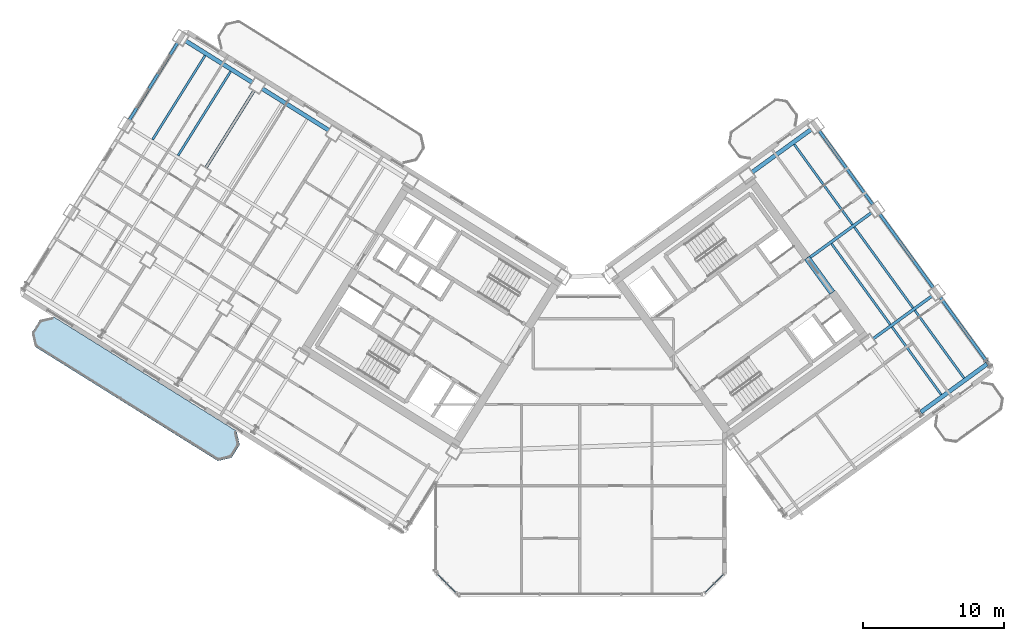
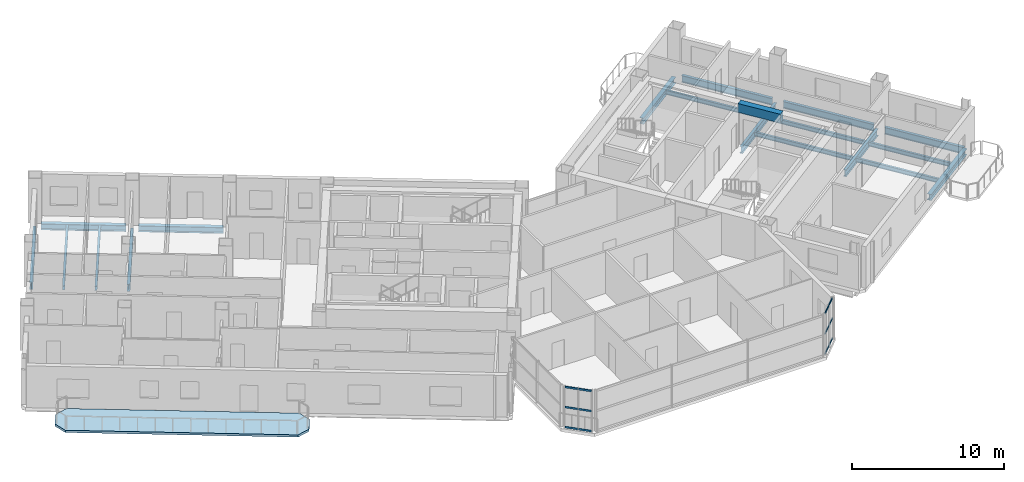
# One storey, part 13 of 25: 19 beams, 12 members, 1 slab, 2 elements without a shape of their own.
"""IFC4 building model written with IfcOpenShell, lengths in metres."""

from ifc_helpers import new_model, si_unit, direction, frame, origin, origin_2d, place, context, subcontext, project, spatial, polyline, rectangle, hollow_rectangle, i_section, outline, extrude, source, transform, mapped, material, layer, layer_set, material_profile, profile_set, type_object, element, aggregate, save


model = new_model("IFC4")

# Units and contexts
model_context = context("Model", 3, precision=1e-05, world=origin(), true_north=direction((0.0, 1.0)))
body_context = subcontext(model_context, "Body", "Model", "MODEL_VIEW")
ifc_project = project(units=[si_unit("LENGTHUNIT", "METRE"), si_unit("AREAUNIT", "SQUARE_METRE"), si_unit("VOLUMEUNIT", "CUBIC_METRE"), si_unit("PLANEANGLEUNIT", "RADIAN"), si_unit("MASSUNIT", "GRAM", prefix="KILO")], contexts=[model_context])

# Site, building, storey
site_placement = place(None, origin())
site = spatial("IfcSite", under=ifc_project, at=site_placement, CompositionType="ELEMENT")
building_placement = place(site_placement, origin())
building = spatial("IfcBuilding", under=site, at=building_placement, Name="Tlacorven Tower", CompositionType="ELEMENT")
storey_placement = place(building_placement, frame((0.0, 0.0, 155.10009765625)))
storey = spatial("IfcBuildingStorey", under=building, at=storey_placement, Name="L39", CompositionType="ELEMENT", Elevation=155.10009765625)

# Beams
ifc_material_1 = material(Name="Concrete C60/75", Category="concrete")
ifc_material_profile_1 = material_profile(ifc_material_1, rectangle(XDim=0.449951171875, YDim=0.699951171875, at=origin_2d()), Name="RC 450X700")
ifc_profile_set_1 = profile_set([ifc_material_profile_1], Name="Concrete C60/75")
beam_type_1 = type_object("IfcBeamType", Name="BM-LNT-700", PredefinedType="LINTEL", material=ifc_profile_set_1)
shared_shape_1 = source(origin(), body_context, "Body", "SweptSolid", [
    extrude(rectangle(XDim=0.449951171875, YDim=0.699951171875, at=origin_2d()), origin(), (0.0, 0.0, 1.0), 3.050048828125),
])
beam_1_placement = place(storey_placement, frame((59.856689453125, 23.345947265625, 3.0), z_axis=(-0.587776590479, 0.80902328748, 0.0), x_axis=(-0.80902328748, -0.587776590479, 0.0)))
element("IfcBeam", 1, at=beam_1_placement, inside=storey, type_object=beam_type_1, Name="L39 E core coupling lintel beam E2", PredefinedType="LINTEL", context=body_context, shape_type="MappedRepresentation", body=[
    mapped(shared_shape_1, transform((0.0, 0.0, 0.0), scale=1.0)),
])
ifc_material_2 = material(Name="Steel S355J2", Category="steel")
ifc_material_profile_2 = material_profile(ifc_material_2, i_section(OverallWidth=0.300048828125, OverallDepth=0.489990234375, WebThickness=0.011962890625, FlangeThickness=0.02294921875, at=origin_2d()), Name="HEA 500")
ifc_profile_set_2 = profile_set([ifc_material_profile_2], Name="Steel S355J2")
beam_type_2 = type_object("IfcBeamType", Name="BM-SPN-500", PredefinedType="SPANDREL", material=ifc_profile_set_2)
shared_shape_2 = source(origin(), body_context, "Body", "SweptSolid", [
    extrude(i_section(OverallWidth=0.300048828125, OverallDepth=0.489990234375, WebThickness=0.011962890625, FlangeThickness=0.02294921875, at=origin_2d()), origin(), (0.0, 0.0, 1.0), 5.800048828125),
])
beam_2_placement = place(storey_placement, frame((66.138671875, 14.86962890625, -0.4951171875), z_axis=(0.809019944521, 0.587781191743, 0.0), x_axis=(-0.587781191743, 0.809019944521, 0.0)))
element("IfcBeam", 2, at=beam_2_placement, inside=storey, type_object=beam_type_2, Name="L39 beam BM-L39-EL1-3", PredefinedType="SPANDREL", context=body_context, shape_type="MappedRepresentation", body=[
    mapped(shared_shape_2, transform((0.0, 0.0, 0.0), scale=1.0)),
])
shared_shape_3 = source(origin(), body_context, "Body", "SweptSolid", [
    extrude(i_section(OverallWidth=0.300048828125, OverallDepth=0.489990234375, WebThickness=0.011962890625, FlangeThickness=0.02294921875, at=origin_2d()), origin(), (0.0, 0.0, 1.0), 5.599853515625),
])
for number, where, z_axis, x_axis, name in (
    (3, (24.1611328125, 34.854736328125, -0.4951171875), (-0.848047285686, 0.529920561254, 0.0), (-0.529920561254, -0.848047285686, 0.0), "L39 beam BM-L39-WL1-4"),
    (4, (18.733642578125, 38.246337890625, -0.4951171875), (-0.848047285686, 0.529920561254, 0.0), (-0.529920561254, -0.848047285686, 0.0), "L39 beam BM-L39-WL1-5"),
):
    element("IfcBeam", number, at=place(storey_placement, frame(where, z_axis=z_axis, x_axis=x_axis)), inside=storey, type_object=beam_type_2, Name=name, PredefinedType="SPANDREL", context=body_context, shape_type="MappedRepresentation", body=[
        mapped(shared_shape_3, transform((0.0, 0.0, 0.0), scale=1.0)),
    ])
ifc_material_profile_3 = material_profile(ifc_material_2, i_section(OverallWidth=0.2099609375, OverallDepth=0.550048828125, WebThickness=0.010986328125, FlangeThickness=0.01708984375, at=origin_2d()), Name="IPE 550")
ifc_profile_set_3 = profile_set([ifc_material_profile_3], Name="Steel S355J2")
beam_type_3 = type_object("IfcBeamType", Name="BM-TWR-550", PredefinedType="BEAM", material=ifc_profile_set_3)
shared_shape_4 = source(origin(), body_context, "Body", "SweptSolid", [
    extrude(i_section(OverallWidth=0.2099609375, OverallDepth=0.550048828125, WebThickness=0.010986328125, FlangeThickness=0.01708984375, at=origin_2d()), origin(), (0.0, 0.0, 1.0), 5.7001953125),
])
beam_3_placement = place(storey_placement, frame((70.853271484375, 18.41845703125, -0.525146484375), z_axis=(-0.587766699507, 0.809030473438, 0.0), x_axis=(-0.809030473438, -0.587766699507, 0.0)))
element("IfcBeam", 5, at=beam_3_placement, inside=storey, type_object=beam_type_3, Name="L39 beam BM-L39-ET4-1", PredefinedType="BEAM", context=body_context, shape_type="MappedRepresentation", body=[
    mapped(shared_shape_4, transform((0.0, 0.0, 0.0), scale=1.0)),
])
shared_shape_5 = source(origin(), body_context, "Body", "SweptSolid", [
    extrude(i_section(OverallWidth=0.2099609375, OverallDepth=0.550048828125, WebThickness=0.010986328125, FlangeThickness=0.01708984375, at=origin_2d()), origin(), (0.0, 0.0, 1.0), 6.5),
])
for number, where, z_axis, x_axis, name in (
    (6, (13.433349609375, 41.086669921875, -0.525146484375), (-0.529894274829, -0.848063710757, 0.0), (0.848063710757, -0.529894274829, 0.0), "L39 beam BM-L39-WT6-1"),
    (7, (67.03271484375, 23.67724609375, -0.525146484375), (-0.587809847215, 0.808999124547, 0.0), (-0.808999124547, -0.587809847215, 0.0), "L39 beam BM-L39-ET4-2"),
    (8, (62.74169921875, 29.5830078125, -0.525146484375), (-0.587785264321, 0.809016985636, 0.0), (-0.809016985636, -0.587785264321, 0.0), "L39 beam BM-L39-ET4-3"),
):
    element("IfcBeam", number, at=place(storey_placement, frame(where, z_axis=z_axis, x_axis=x_axis)), inside=storey, type_object=beam_type_3, Name=name, PredefinedType="BEAM", context=body_context, shape_type="MappedRepresentation", body=[
        mapped(shared_shape_5, transform((0.0, 0.0, 0.0), scale=1.0)),
    ])
shared_shape_6 = source(origin(), body_context, "Body", "SweptSolid", [
    extrude(i_section(OverallWidth=0.2099609375, OverallDepth=0.550048828125, WebThickness=0.010986328125, FlangeThickness=0.01708984375, at=origin_2d()), origin(), (0.0, 0.0, 1.0), 6.499755859375),
])
beam_4_placement = place(storey_placement, frame((18.86083984375, 37.695068359375, -0.525146484375), z_axis=(-0.529911154058, -0.848053163902, 0.0), x_axis=(0.848053163902, -0.529911154058, 0.0)))
element("IfcBeam", 9, at=beam_4_placement, inside=storey, type_object=beam_type_3, Name="L39 beam BM-L39-WT5-1", PredefinedType="BEAM", context=body_context, shape_type="MappedRepresentation", body=[
    mapped(shared_shape_6, transform((0.0, 0.0, 0.0), scale=1.0)),
])
shared_shape_7 = source(origin(), body_context, "Body", "SweptSolid", [
    extrude(i_section(OverallWidth=0.2099609375, OverallDepth=0.550048828125, WebThickness=0.010986328125, FlangeThickness=0.01708984375, at=origin_2d()), origin(), (0.0, 0.0, 1.0), 5.56005859375),
])
beam_5_placement = place(storey_placement, frame((58.155029296875, 25.756103515625, -0.525146484375), z_axis=(0.809028396397, 0.587769558435, 0.0), x_axis=(-0.587769558435, 0.809028396397, 0.0)))
element("IfcBeam", 10, at=beam_5_placement, inside=storey, type_object=beam_type_3, Name="L39 beam BM-L39-EL3-3", PredefinedType="BEAM", context=body_context, shape_type="MappedRepresentation", body=[
    mapped(shared_shape_7, transform((0.0, 0.0, 0.0), scale=1.0)),
])
ifc_material_profile_4 = material_profile(ifc_material_2, i_section(OverallWidth=0.159912109375, OverallDepth=0.330078125, WebThickness=0.007568359375, FlangeThickness=0.011474609375, at=origin_2d()), Name="IPE 330")
ifc_profile_set_4 = profile_set([ifc_material_profile_4], Name="Steel S355J2")
beam_type_4 = type_object("IfcBeamType", Name="BM-JST-330", PredefinedType="JOIST", material=ifc_profile_set_4)
shared_shape_8 = source(origin(), body_context, "Body", "SweptSolid", [
    extrude(i_section(OverallWidth=0.159912109375, OverallDepth=0.330078125, WebThickness=0.007568359375, FlangeThickness=0.011474609375, at=origin_2d()), origin(), (0.0, 0.0, 1.0), 5.93505859375),
])
for number, where, z_axis, x_axis, name in (
    (11, (67.584716796875, 16.11181640625, -0.4150390625), (-0.58778762431, 0.809015270998, 0.0), (-0.809015270998, -0.58778762431, 0.0), "L39 beam BM-L39-EJ3-1-1"),
    (12, (69.202880859375, 17.287353515625, -0.4150390625), (-0.58778762431, 0.809015270998, 0.0), (-0.809015270998, -0.58778762431, 0.0), "L39 beam BM-L39-EJ3-1-2"),
):
    element("IfcBeam", number, at=place(storey_placement, frame(where, z_axis=z_axis, x_axis=x_axis)), inside=storey, type_object=beam_type_4, Name=name, PredefinedType="JOIST", context=body_context, shape_type="MappedRepresentation", body=[
        mapped(shared_shape_8, transform((0.0, 0.0, 0.0), scale=1.0)),
    ])
shared_shape_9 = source(origin(), body_context, "Body", "SweptSolid", [
    extrude(i_section(OverallWidth=0.159912109375, OverallDepth=0.330078125, WebThickness=0.007568359375, FlangeThickness=0.011474609375, at=origin_2d()), origin(), (0.0, 0.0, 1.0), 7.080078125),
])
beam_6_placement = place(storey_placement, frame((65.5849609375, 22.266845703125, -0.4150390625), z_axis=(-0.587759505125, 0.809035700161, 0.0), x_axis=(-0.809035700161, -0.587759505125, 0.0)))
element("IfcBeam", 13, at=beam_6_placement, inside=storey, type_object=beam_type_4, Name="L39 beam BM-L39-EJ3-2-2", PredefinedType="JOIST", context=body_context, shape_type="MappedRepresentation", body=[
    mapped(shared_shape_9, transform((0.0, 0.0, 0.0), scale=1.0)),
])
shared_shape_10 = source(origin(), body_context, "Body", "SweptSolid", [
    extrude(i_section(OverallWidth=0.159912109375, OverallDepth=0.330078125, WebThickness=0.007568359375, FlangeThickness=0.011474609375, at=origin_2d()), origin(), (0.0, 0.0, 1.0), 7.03515625),
])
beam_7_placement = place(storey_placement, frame((17.181640625, 39.033447265625, -0.4150390625), z_axis=(-0.529920952588, -0.848047041153, 0.0), x_axis=(0.848047041153, -0.529920952588, 0.0)))
element("IfcBeam", 14, at=beam_7_placement, inside=storey, type_object=beam_type_4, Name="L39 beam BM-L39-WJ5-1-1", PredefinedType="JOIST", context=body_context, shape_type="MappedRepresentation", body=[
    mapped(shared_shape_10, transform((0.0, 0.0, 0.0), scale=1.0)),
])
shared_shape_11 = source(origin(), body_context, "Body", "SweptSolid", [
    extrude(i_section(OverallWidth=0.159912109375, OverallDepth=0.330078125, WebThickness=0.007568359375, FlangeThickness=0.011474609375, at=origin_2d()), origin(), (0.0, 0.0, 1.0), 7.034912109375),
])
for number, where, z_axis, x_axis, name in (
    (15, (15.372314453125, 40.163818359375, -0.4150390625), (-0.529895993776, -0.848062636708, 0.0), (0.848062636708, -0.529895993776, 0.0), "L39 beam BM-L39-WJ5-1-2"),
    (16, (61.294189453125, 28.1728515625, -0.4150390625), (-0.587781631373, 0.809019625115, 0.0), (-0.809019625115, -0.587781631373, 0.0), "L39 beam BM-L39-EJ3-3-2"),
):
    element("IfcBeam", number, at=place(storey_placement, frame(where, z_axis=z_axis, x_axis=x_axis)), inside=storey, type_object=beam_type_4, Name=name, PredefinedType="JOIST", context=body_context, shape_type="MappedRepresentation", body=[
        mapped(shared_shape_11, transform((0.0, 0.0, 0.0), scale=1.0)),
    ])
shared_shape_12 = source(origin(), body_context, "Body", "SweptSolid", [
    extrude(i_section(OverallWidth=0.159912109375, OverallDepth=0.330078125, WebThickness=0.007568359375, FlangeThickness=0.011474609375, at=origin_2d()), origin(), (0.0, 0.0, 1.0), 7.080322265625),
])
beam_8_placement = place(storey_placement, frame((63.967041015625, 21.09130859375, -0.4150390625), z_axis=(-0.587782074775, 0.809019302967, 0.0), x_axis=(-0.809019302967, -0.587782074775, 0.0)))
element("IfcBeam", 17, at=beam_8_placement, inside=storey, type_object=beam_type_4, Name="L39 beam BM-L39-EJ3-2-1", PredefinedType="JOIST", context=body_context, shape_type="MappedRepresentation", body=[
    mapped(shared_shape_12, transform((0.0, 0.0, 0.0), scale=1.0)),
])
shared_shape_13 = source(origin(), body_context, "Body", "SweptSolid", [
    extrude(i_section(OverallWidth=0.2099609375, OverallDepth=0.550048828125, WebThickness=0.010986328125, FlangeThickness=0.01708984375, at=origin_2d()), origin(), (0.0, 0.0, 1.0), 5.199951171875),
])
beam_9_placement = place(storey_placement, frame((62.7373046875, 20.06201171875, -0.525146484375), z_axis=(0.809018206713, 0.587783583648, 0.0), x_axis=(-0.587783583648, 0.809018206713, 0.0)))
element("IfcBeam", 18, at=beam_9_placement, inside=storey, type_object=beam_type_3, Name="L39 beam BM-L39-EL2-3", PredefinedType="BEAM", context=body_context, shape_type="MappedRepresentation", body=[
    mapped(shared_shape_13, transform((0.0, 0.0, 0.0), scale=1.0)),
])
shared_shape_14 = source(origin(), body_context, "Body", "SweptSolid", [
    extrude(i_section(OverallWidth=0.300048828125, OverallDepth=0.489990234375, WebThickness=0.011962890625, FlangeThickness=0.02294921875, at=origin_2d()), origin(), (0.0, 0.0, 1.0), 5.2001953125),
])
beam_10_placement = place(storey_placement, frame((54.155517578125, 31.87353515625, -0.4951171875), z_axis=(0.80901210161, 0.587791986546, 0.0), x_axis=(-0.587791986546, 0.80901210161, 0.0)))
element("IfcBeam", 19, at=beam_10_placement, inside=storey, type_object=beam_type_2, Name="L39 beam BM-L39-EL4-3", PredefinedType="SPANDREL", context=body_context, shape_type="MappedRepresentation", body=[
    mapped(shared_shape_14, transform((0.0, 0.0, 0.0), scale=1.0)),
])

# Curtain wall, members
ifc_material_3 = material(Name="Dark solar low-E double glazing in aluminium frame", Category="aluminium")
curtain_wall_type = type_object("IfcCurtainWallType", Name="CW-TWR-MID", PredefinedType="USERDEFINED", material=ifc_material_3)
curtain_wall_1_placement = place(storey_placement, origin())
curtain_wall_1 = element("IfcCurtainWall", 20, at=curtain_wall_1_placement, inside=storey, type_object=curtain_wall_type, Name="L39 CW-TWR-MID Curtain Wall 172", ObjectType="UNITISED CURTAIN WALL", PredefinedType="USERDEFINED")
ifc_material_4 = material(Name="Aluminium 6063-T6 anodised", Category="aluminium")
ifc_material_profile_5 = material_profile(ifc_material_4, hollow_rectangle(XDim=0.06005859375, YDim=0.139892578125, WallThickness=0.00390625, at=origin_2d()), Name="ALU TRANSOM 60X140")
ifc_profile_set_5 = profile_set([ifc_material_profile_5], Name="Aluminium 6063-T6 anodised")
member_type = type_object("IfcMemberType", Name="CWT-02", PredefinedType="USERDEFINED", material=ifc_profile_set_5)
shared_shape_15 = source(origin(), body_context, "Body", "SweptSolid", [
    extrude(hollow_rectangle(XDim=0.06005859375, YDim=0.139892578125, WallThickness=0.00390625, at=origin_2d()), origin(), (0.0, 0.0, 1.0), 0.8916015625),
])
member_1_placement = place(storey_placement, frame((52.1318359375, 3.358154296875, 0.06982421875), z_axis=(-0.706969864397, -0.70724367147, 0.0), x_axis=(0.70724367147, -0.706969864397, 0.0)))
member_1 = element("IfcMember", 21, at=member_1_placement, type_object=member_type, Name="CW-L39-172 Transom 1", ObjectType="TRANSOM", PredefinedType="USERDEFINED", context=body_context, shape_type="MappedRepresentation", body=[
    mapped(shared_shape_15, transform((0.0, 0.0, 0.0), scale=1.0)),
])
member_2_placement = place(storey_placement, frame((52.1318359375, 3.358154296875, 1.6748046875), z_axis=(-0.706969864397, -0.70724367147, 0.0), x_axis=(0.70724367147, -0.706969864397, 0.0)))
member_2 = element("IfcMember", 22, at=member_2_placement, type_object=member_type, Name="CW-L39-172 Transom 2", ObjectType="TRANSOM", PredefinedType="USERDEFINED", context=body_context, shape_type="MappedRepresentation", body=[
    mapped(shared_shape_15, transform((0.0, 0.0, 0.0), scale=1.0)),
])
member_3_placement = place(storey_placement, frame((52.1318359375, 3.358154296875, 3.27978515625), z_axis=(-0.706969864397, -0.70724367147, 0.0), x_axis=(0.70724367147, -0.706969864397, 0.0)))
member_3 = element("IfcMember", 23, at=member_3_placement, type_object=member_type, Name="CW-L39-172 Transom 3", ObjectType="TRANSOM", PredefinedType="USERDEFINED", context=body_context, shape_type="MappedRepresentation", body=[
    mapped(shared_shape_15, transform((0.0, 0.0, 0.0), scale=1.0)),
])

curtain_wall_2_placement = place(storey_placement, origin())
curtain_wall_2 = element("IfcCurtainWall", 24, at=curtain_wall_2_placement, inside=storey, type_object=curtain_wall_type, Name="L39 CW-TWR-MID Curtain Wall 174", ObjectType="UNITISED CURTAIN WALL", PredefinedType="USERDEFINED")
member_4_placement = place(storey_placement, frame((32.49853515625, 2.7275390625, 0.06982421875), z_axis=(-0.706969864397, 0.70724367147, 0.0), x_axis=(-0.70724367147, -0.706969864397, 0.0)))
member_4 = element("IfcMember", 25, at=member_4_placement, type_object=member_type, Name="CW-L39-174 Transom 4", ObjectType="TRANSOM", PredefinedType="USERDEFINED", context=body_context, shape_type="MappedRepresentation", body=[
    mapped(shared_shape_15, transform((0.0, 0.0, 0.0), scale=1.0)),
])
member_5_placement = place(storey_placement, frame((32.49853515625, 2.7275390625, 1.6748046875), z_axis=(-0.706969864397, 0.70724367147, 0.0), x_axis=(-0.70724367147, -0.706969864397, 0.0)))
member_5 = element("IfcMember", 26, at=member_5_placement, type_object=member_type, Name="CW-L39-174 Transom 5", ObjectType="TRANSOM", PredefinedType="USERDEFINED", context=body_context, shape_type="MappedRepresentation", body=[
    mapped(shared_shape_15, transform((0.0, 0.0, 0.0), scale=1.0)),
])
member_6_placement = place(storey_placement, frame((32.49853515625, 2.7275390625, 3.27978515625), z_axis=(-0.706969864397, 0.70724367147, 0.0), x_axis=(-0.70724367147, -0.706969864397, 0.0)))
member_6 = element("IfcMember", 27, at=member_6_placement, type_object=member_type, Name="CW-L39-174 Transom 6", ObjectType="TRANSOM", PredefinedType="USERDEFINED", context=body_context, shape_type="MappedRepresentation", body=[
    mapped(shared_shape_15, transform((0.0, 0.0, 0.0), scale=1.0)),
])

# Member
shared_shape_16 = source(origin(), body_context, "Body", "SweptSolid", [
    extrude(hollow_rectangle(XDim=0.06005859375, YDim=0.139892578125, WallThickness=0.00390625, at=origin_2d()), origin(), (0.0, 0.0, 1.0), 0.891845703125),
])
member_7_placement = place(storey_placement, frame((51.472412109375, 2.69873046875, 0.06982421875), z_axis=(-0.707106781187, -0.707106781187, 0.0), x_axis=(0.707106781187, -0.707106781187, 0.0)))
member_7 = element("IfcMember", 28, at=member_7_placement, type_object=member_type, Name="CW-L39-172 Transom 4", ObjectType="TRANSOM", PredefinedType="USERDEFINED", context=body_context, shape_type="MappedRepresentation", body=[
    mapped(shared_shape_16, transform((0.0, 0.0, 0.0), scale=1.0)),
])

member_8_placement = place(storey_placement, frame((51.472412109375, 2.69873046875, 1.6748046875), z_axis=(-0.707106781187, -0.707106781187, 0.0), x_axis=(0.707106781187, -0.707106781187, 0.0)))
member_8 = element("IfcMember", 29, at=member_8_placement, type_object=member_type, Name="CW-L39-172 Transom 5", ObjectType="TRANSOM", PredefinedType="USERDEFINED", context=body_context, shape_type="MappedRepresentation", body=[
    mapped(shared_shape_16, transform((0.0, 0.0, 0.0), scale=1.0)),
])

member_9_placement = place(storey_placement, frame((51.472412109375, 2.69873046875, 3.27978515625), z_axis=(-0.707106781187, -0.707106781187, 0.0), x_axis=(0.707106781187, -0.707106781187, 0.0)))
member_9 = element("IfcMember", 30, at=member_9_placement, type_object=member_type, Name="CW-L39-172 Transom 6", ObjectType="TRANSOM", PredefinedType="USERDEFINED", context=body_context, shape_type="MappedRepresentation", body=[
    mapped(shared_shape_16, transform((0.0, 0.0, 0.0), scale=1.0)),
])

aggregate(curtain_wall_1, [member_1, member_2, member_3, member_7, member_8, member_9])

member_10_placement = place(storey_placement, frame((33.158203125, 2.068115234375, 0.06982421875), z_axis=(-0.707106781187, 0.707106781187, 0.0), x_axis=(-0.707106781187, -0.707106781187, 0.0)))
member_10 = element("IfcMember", 31, at=member_10_placement, type_object=member_type, Name="CW-L39-174 Transom 1", ObjectType="TRANSOM", PredefinedType="USERDEFINED", context=body_context, shape_type="MappedRepresentation", body=[
    mapped(shared_shape_16, transform((0.0, 0.0, 0.0), scale=1.0)),
])

member_11_placement = place(storey_placement, frame((33.158203125, 2.068115234375, 1.6748046875), z_axis=(-0.707106781187, 0.707106781187, 0.0), x_axis=(-0.707106781187, -0.707106781187, 0.0)))
member_11 = element("IfcMember", 32, at=member_11_placement, type_object=member_type, Name="CW-L39-174 Transom 2", ObjectType="TRANSOM", PredefinedType="USERDEFINED", context=body_context, shape_type="MappedRepresentation", body=[
    mapped(shared_shape_16, transform((0.0, 0.0, 0.0), scale=1.0)),
])

member_12_placement = place(storey_placement, frame((33.158203125, 2.068115234375, 3.27978515625), z_axis=(-0.707106781187, 0.707106781187, 0.0), x_axis=(-0.707106781187, -0.707106781187, 0.0)))
member_12 = element("IfcMember", 33, at=member_12_placement, type_object=member_type, Name="CW-L39-174 Transom 3", ObjectType="TRANSOM", PredefinedType="USERDEFINED", context=body_context, shape_type="MappedRepresentation", body=[
    mapped(shared_shape_16, transform((0.0, 0.0, 0.0), scale=1.0)),
])

aggregate(curtain_wall_2, [member_10, member_11, member_12, member_4, member_5, member_6])

# Slab
ifc_material_5 = material(Name="Precast concrete C45/55", Category="concrete")
ifc_layer = layer(ifc_material_5, 0.179931640625)
ifc_layer_set = layer_set([ifc_layer], Name="Precast concrete C45/55")
slab_type = type_object("IfcSlabType", Name="SL-BAL-180", PredefinedType="USERDEFINED", material=ifc_layer_set)
slab_placement = place(storey_placement, frame((0.0, 0.0, -0.18017578125)))
element("IfcSlab", 34, at=slab_placement, inside=storey, type_object=slab_type, Name="L39 West Wing Balcony Ribbon OUT", ObjectType="BALCONY SLAB", PredefinedType="USERDEFINED", context=body_context, shape_type="SweptSolid", body=[
    extrude(outline(polyline([(17.601318359375, 13.52490234375), (4.626220703125, 21.632568359375), (3.66162109375, 21.409912109375), (3.081298828125, 20.4814453125), (3.303955078125, 19.516845703125), (16.279052734375, 11.408935546875), (17.24365234375, 11.6318359375), (17.823974609375, 12.560302734375), (17.601318359375, 13.52490234375)])), origin(), (0.0, 0.0, 1.0), 0.18017578125),
])

save(model, "model.ifc")
